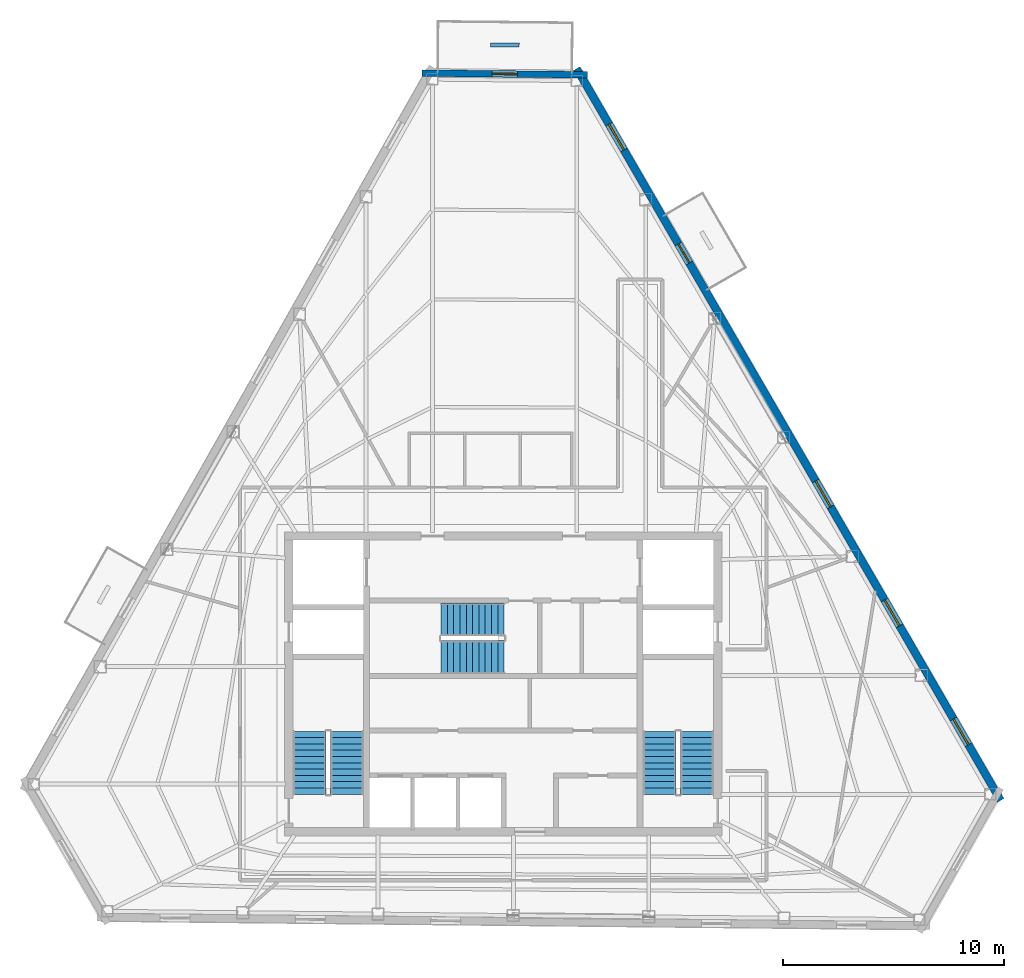
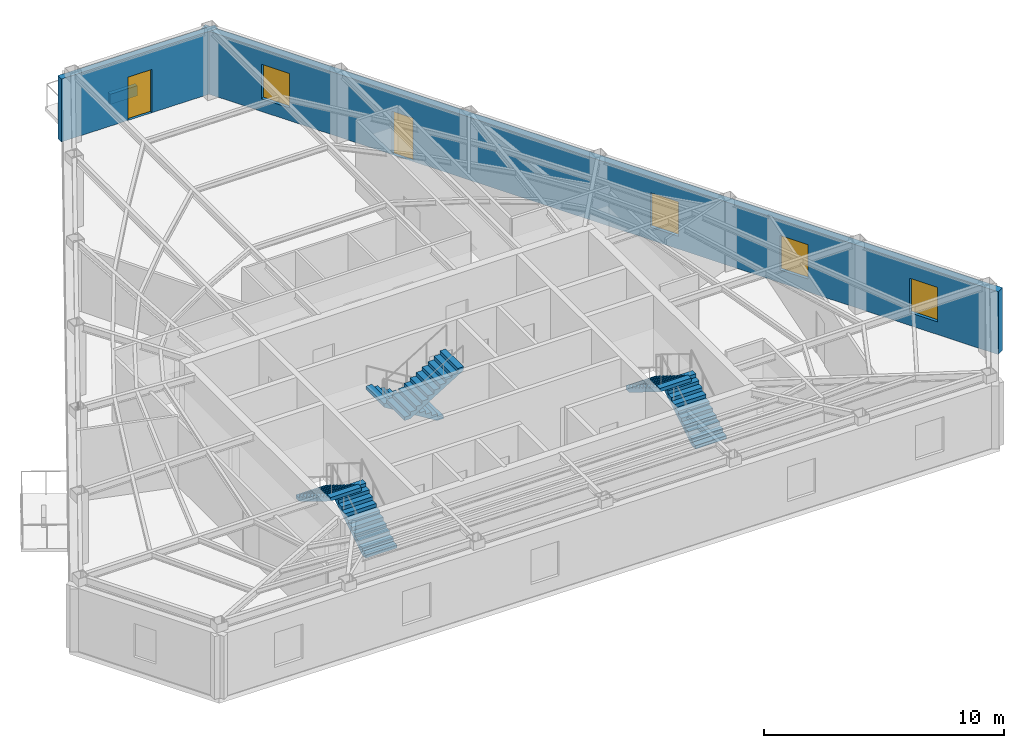
# One storey, part 7 of 10: 6 stair flights, 4 windows, 3 walls, 2 doors, 6 openings, 3 elements without a shape of their own.
"""IFC4 building model written with IfcOpenShell, lengths in metres."""

from ifc_helpers import new_model, si_unit, direction, frame, frame_2d, origin, place, context, subcontext, project, spatial, polyline, rectangle, outline, extrude, material, layer, layer_set, type_object, element, fill, aggregate, save


model = new_model("IFC4")

# Units and contexts
model_context = context("Model", 3, precision=1e-05, world=origin(), true_north=direction((0.0, 1.0)))
body_context = subcontext(model_context, "Body", "Model", "MODEL_VIEW")
ifc_project = project(units=[si_unit("LENGTHUNIT", "METRE"), si_unit("AREAUNIT", "SQUARE_METRE"), si_unit("VOLUMEUNIT", "CUBIC_METRE"), si_unit("PLANEANGLEUNIT", "RADIAN"), si_unit("MASSUNIT", "GRAM", prefix="KILO")], contexts=[model_context])

# Site, building, storey
site_placement = place(None, origin())
site = spatial("IfcSite", under=ifc_project, at=site_placement, CompositionType="ELEMENT")
building_placement = place(site_placement, origin())
building = spatial("IfcBuilding", under=site, at=building_placement, Name="Kavelnor Concourse Tower", CompositionType="ELEMENT")
storey_placement = place(building_placement, frame((0.0, 0.0, 247.199951171875)))
storey = spatial("IfcBuildingStorey", under=building, at=storey_placement, Name="L62", CompositionType="ELEMENT", Elevation=247.199951171875)

# Wall, opening, door
ifc_material_1 = material(Name="Buff ironspot clay face brick masonry", Category="masonry")
ifc_layer_1 = layer(ifc_material_1, 0.300048828125, Name="Buff ironspot clay face brick masonry")
ifc_layer_set_1 = layer_set([ifc_layer_1], Name="Buff ironspot clay face brick masonry")
wall_type_1 = type_object("IfcWallType", Name="WL-EXT-BUFF-BRICK-FOLD-300", PredefinedType="STANDARD", material=ifc_layer_set_1)
wall_1_placement = place(storey_placement, frame((34.315673828125, 43.741943359375, 0.0), z_axis=(0.0, 0.0, 1.0), x_axis=(0.999946967477, -0.010298652035, 0.0)))
wall_1 = element("IfcWall", 1, at=wall_1_placement, inside=storey, type_object=wall_type_1, Name="L62 Exterior Brick Facade Wall E0", PredefinedType="STANDARD", context=body_context, shape_type="SweptSolid", body=[
    extrude(rectangle(XDim=7.4912109375, YDim=0.300048828125, at=frame_2d((3.74560546875, 0.0))), origin(), (0.0, 0.0, 1.0), 3.196044921875),
])
opening_1_placement = place(wall_1_placement, frame((3.170654296875, 0.0, 0.0)))
opening_1 = element("IfcOpeningElement", 2, at=opening_1_placement, cuts=wall_1, Name="Opening TD-115", PredefinedType="OPENING", context=body_context, shape_type="SweptSolid", body=[
    extrude(rectangle(XDim=1.14990234375, YDim=2.199951171875, at=frame_2d((0.574951171875, 1.10009765625))), frame((0.0, 0.16015625, 0.0), z_axis=(0.0, -1.0, 0.0), x_axis=(1.0, 0.0, 0.0)), (0.0, 0.0, 1.0), 0.320068359375),
])
ifc_material_2 = material(Name="Anodised aluminium 6063-T6", Category="aluminium")
door_type_1 = type_object("IfcDoorType", Name="DR-TERRACE-EXT-1150", OperationType="NOTDEFINED", PredefinedType="DOOR", material=ifc_material_2)
door_1_placement = place(opening_1_placement, origin())
door_1 = element("IfcDoor", 3, at=door_1_placement, inside=storey, type_object=door_type_1, Name="L62 Spiral Sky Terrace Access Door", OperationType="SINGLE_SWING_LEFT", OverallHeight=2.199951171875, OverallWidth=1.14990234375, PredefinedType="DOOR", context=body_context, shape_type="SweptSolid", body=[
    extrude(rectangle(XDim=1.14990234375, YDim=2.199951171875, at=frame_2d((0.574951171875, 1.10009765625))), frame((0.0, 0.02490234375, 0.0), z_axis=(0.0, -1.0, 0.0), x_axis=(1.0, 0.0, 0.0)), (0.0, 0.0, 1.0), 0.050048828125),
])
fill(opening_1, door_1)

# Wall, openings, door, windows
ifc_material_3 = material(Name="Red-ochre clay face brick masonry", Category="masonry")
ifc_layer_2 = layer(ifc_material_3, 0.35009765625, Name="Red-ochre clay face brick masonry")
ifc_layer_set_2 = layer_set([ifc_layer_2], Name="Red-ochre clay face brick masonry")
wall_type_2 = type_object("IfcWallType", Name="WL-EXT-RED-BRICK-PIER-350", PredefinedType="STANDARD", material=ifc_layer_set_2)
wall_2_placement = place(storey_placement, frame((41.32666015625, 43.944580078125, 0.0), z_axis=(0.0, 0.0, 1.0), x_axis=(0.501242173683, -0.865307045691, 0.0)))
wall_2 = element("IfcWall", 4, at=wall_2_placement, inside=storey, type_object=wall_type_2, Name="L62 Exterior Brick Facade Wall E5", PredefinedType="STANDARD", context=body_context, shape_type="SweptSolid", body=[
    extrude(rectangle(XDim=38.27685546875, YDim=0.35009765625, at=frame_2d((19.138427734375, 0.0))), origin(), (0.0, 0.0, 1.0), 3.196044921875),
])
opening_2_placement = place(wall_2_placement, frame((9.169189453125, 0.0, 0.0)))
opening_2 = element("IfcOpeningElement", 5, at=opening_2_placement, cuts=wall_2, Name="Opening BD-100", PredefinedType="OPENING", context=body_context, shape_type="SweptSolid", body=[
    extrude(rectangle(XDim=1.0, YDim=2.199951171875, at=frame_2d((0.5, 1.10009765625))), frame((0.0, 0.18505859375, 0.0), z_axis=(0.0, -1.0, 0.0), x_axis=(1.0, 0.0, 0.0)), (0.0, 0.0, 1.0), 0.3701171875),
])
opening_3_placement = place(wall_2_placement, frame((34.016357421875, 0.0, 0.64990234375)))
opening_3 = element("IfcOpeningElement", 6, at=opening_3_placement, cuts=wall_2, Name="Opening W-04", PredefinedType="OPENING", context=body_context, shape_type="SweptSolid", body=[
    extrude(rectangle(XDim=1.35009765625, YDim=1.75, at=frame_2d((0.675048828125, 0.875))), frame((0.0, 0.18505859375, 0.0), z_axis=(0.0, -1.0, 0.0), x_axis=(1.0, 0.0, 0.0)), (0.0, 0.0, 1.0), 0.3701171875),
])
opening_4_placement = place(wall_2_placement, frame((27.794921875, 0.0, 0.64990234375)))
opening_4 = element("IfcOpeningElement", 7, at=opening_4_placement, cuts=wall_2, Name="Opening W-04", PredefinedType="OPENING", context=body_context, shape_type="SweptSolid", body=[
    extrude(rectangle(XDim=1.35009765625, YDim=1.75, at=frame_2d((0.675048828125, 0.875))), frame((0.0, 0.18505859375, 0.0), z_axis=(0.0, -1.0, 0.0), x_axis=(1.0, 0.0, 0.0)), (0.0, 0.0, 1.0), 0.3701171875),
])
opening_5_placement = place(wall_2_placement, frame((21.573486328125, 0.0, 0.64990234375)))
opening_5 = element("IfcOpeningElement", 8, at=opening_5_placement, cuts=wall_2, Name="Opening W-04", PredefinedType="OPENING", context=body_context, shape_type="SweptSolid", body=[
    extrude(rectangle(XDim=1.35009765625, YDim=1.75, at=frame_2d((0.675048828125, 0.875))), frame((0.0, 0.18505859375, 0.0), z_axis=(0.0, -1.0, 0.0), x_axis=(1.0, 0.0, 0.0)), (0.0, 0.0, 1.0), 0.3701171875),
])
opening_6_placement = place(wall_2_placement, frame((2.9091796875, 0.0, 0.64990234375)))
opening_6 = element("IfcOpeningElement", 9, at=opening_6_placement, cuts=wall_2, Name="Opening W-04", PredefinedType="OPENING", context=body_context, shape_type="SweptSolid", body=[
    extrude(rectangle(XDim=1.35009765625, YDim=1.75, at=frame_2d((0.675048828125, 0.875))), frame((0.0, 0.18505859375, 0.0), z_axis=(0.0, -1.0, 0.0), x_axis=(1.0, 0.0, 0.0)), (0.0, 0.0, 1.0), 0.3701171875),
])
door_type_2 = type_object("IfcDoorType", Name="DR-BALCONY-EXT-1000", OperationType="NOTDEFINED", PredefinedType="DOOR", material=ifc_material_2)
door_2_placement = place(opening_2_placement, origin())
door_2 = element("IfcDoor", 10, at=door_2_placement, inside=storey, type_object=door_type_2, Name="L62 Tree Balcony 1 Glazed Door", OperationType="SINGLE_SWING_LEFT", OverallHeight=2.199951171875, OverallWidth=1.0, PredefinedType="DOOR", context=body_context, shape_type="SweptSolid", body=[
    extrude(rectangle(XDim=1.0, YDim=2.199951171875, at=frame_2d((0.5, 1.10009765625))), frame((0.0, 0.02490234375, 0.0), z_axis=(0.0, -1.0, 0.0), x_axis=(1.0, 0.0, 0.0)), (0.0, 0.0, 1.0), 0.050048828125),
])
fill(opening_2, door_2)
ifc_material_4 = material(Name="Double low-E argon insulated glazing", Category="glass")
window_type = type_object("IfcWindowType", Name="WIN-PIER-Z4-1350", PartitioningType="SINGLE_PANEL", PredefinedType="WINDOW", material=ifc_material_4)
window_1_placement = place(opening_3_placement, origin())
window_1 = element("IfcWindow", 11, at=window_1_placement, inside=storey, type_object=window_type, Name="L62 Deep-Set Brick Pier Window F2-B0", OverallHeight=1.75, OverallWidth=1.35009765625, PartitioningType="SINGLE_PANEL", PredefinedType="WINDOW", context=body_context, shape_type="SweptSolid", body=[
    extrude(rectangle(XDim=1.35009765625, YDim=1.75, at=frame_2d((0.675048828125, 0.875))), frame((0.0, 0.030029296875, 0.0), z_axis=(0.0, -1.0, 0.0), x_axis=(1.0, 0.0, 0.0)), (0.0, 0.0, 1.0), 0.06005859375),
])
fill(opening_3, window_1)
window_2_placement = place(opening_4_placement, origin())
window_2 = element("IfcWindow", 12, at=window_2_placement, inside=storey, type_object=window_type, Name="L62 Deep-Set Brick Pier Window F2-B1", OverallHeight=1.75, OverallWidth=1.35009765625, PartitioningType="SINGLE_PANEL", PredefinedType="WINDOW", context=body_context, shape_type="SweptSolid", body=[
    extrude(rectangle(XDim=1.35009765625, YDim=1.75, at=frame_2d((0.675048828125, 0.875))), frame((0.0, 0.030029296875, 0.0), z_axis=(0.0, -1.0, 0.0), x_axis=(1.0, 0.0, 0.0)), (0.0, 0.0, 1.0), 0.06005859375),
])
fill(opening_4, window_2)
window_3_placement = place(opening_5_placement, origin())
window_3 = element("IfcWindow", 13, at=window_3_placement, inside=storey, type_object=window_type, Name="L62 Deep-Set Brick Pier Window F2-B2", OverallHeight=1.75, OverallWidth=1.35009765625, PartitioningType="SINGLE_PANEL", PredefinedType="WINDOW", context=body_context, shape_type="SweptSolid", body=[
    extrude(rectangle(XDim=1.35009765625, YDim=1.75, at=frame_2d((0.675048828125, 0.875))), frame((0.0, 0.030029296875, 0.0), z_axis=(0.0, -1.0, 0.0), x_axis=(1.0, 0.0, 0.0)), (0.0, 0.0, 1.0), 0.06005859375),
])
fill(opening_5, window_3)
window_4_placement = place(opening_6_placement, origin())
window_4 = element("IfcWindow", 14, at=window_4_placement, inside=storey, type_object=window_type, Name="L62 Deep-Set Brick Pier Window F2-B5", OverallHeight=1.75, OverallWidth=1.35009765625, PartitioningType="SINGLE_PANEL", PredefinedType="WINDOW", context=body_context, shape_type="SweptSolid", body=[
    extrude(rectangle(XDim=1.35009765625, YDim=1.75, at=frame_2d((0.675048828125, 0.875))), frame((0.0, 0.030029296875, 0.0), z_axis=(0.0, -1.0, 0.0), x_axis=(1.0, 0.0, 0.0)), (0.0, 0.0, 1.0), 0.06005859375),
])
fill(opening_6, window_4)

# Wall
ifc_material_5 = material(Name="Architectural precast planter concrete C40/50", Category="concrete")
ifc_layer_3 = layer(ifc_material_5, 0.18994140625, Name="Architectural precast planter concrete C40/50")
ifc_layer_set_3 = layer_set([ifc_layer_3], Name="Architectural precast planter concrete C40/50")
wall_type_3 = type_object("IfcWallType", Name="WL-PLANTER-KERB-190", PredefinedType="USERDEFINED", material=ifc_layer_set_3)
wall_3_placement = place(storey_placement, frame((38.724609375, 45.006591796875, 0.0), z_axis=(0.0, 0.0, 1.0), x_axis=(-0.999946663881, 0.010328087608, 0.0)))
element("IfcWall", 15, at=wall_3_placement, inside=storey, type_object=wall_type_3, Name="L62 Spiral Terrace Landscaped Planter Kerb", ObjectType="PLANTER", PredefinedType="USERDEFINED", context=body_context, shape_type="SweptSolid", body=[
    extrude(rectangle(XDim=1.300048828125, YDim=0.18994140625, at=frame_2d((0.64990234375, 0.0))), origin(), (0.0, 0.0, 1.0), 0.52001953125),
])

# Stair, stair flights
ifc_material_6 = material(Name="Concrete C40/50", Category="concrete")
stair_type = type_object("IfcStairType", Name="STR-CORE-1500", PredefinedType="HALF_TURN_STAIR", material=ifc_material_6)
stair_1_placement = place(storey_placement, origin())
stair_1 = element("IfcStair", 16, at=stair_1_placement, inside=storey, type_object=stair_type, Name="L62 ST1", PredefinedType="HALF_TURN_STAIR")
stair_flight_type = type_object("IfcStairFlightType", Name="STR-FLIGHT-1500", PredefinedType="STRAIGHT", material=ifc_material_6)
stair_flight_1_placement = place(storey_placement, frame((30.929931640625, 11.10009765625, 0.0), z_axis=(0.0, 0.0, 1.0), x_axis=(0.0, 1.0, 0.0)))
stair_flight_1 = element("IfcStairFlight", 17, at=stair_flight_1_placement, type_object=stair_flight_type, Name="ST1 flight 1", NumberOfRisers=11, NumberOfTreads=10, PredefinedType="STRAIGHT", RiserHeight=0.175, TreadLength=0.285, context=body_context, shape_type="SweptSolid", body=[
    extrude(outline(polyline([(0.0, 0.0), (0.0, 0.175048828125), (0.284912109375, 0.175048828125), (0.284912109375, 0.35009765625), (0.570068359375, 0.35009765625), (0.570068359375, 0.52490234375), (0.85498046875, 0.52490234375), (0.85498046875, 0.699951171875), (1.139892578125, 0.699951171875), (1.139892578125, 0.875), (1.425048828125, 0.875), (1.425048828125, 1.050048828125), (1.7099609375, 1.050048828125), (1.7099609375, 1.22509765625), (1.9951171875, 1.22509765625), (1.9951171875, 1.39990234375), (2.280029296875, 1.39990234375), (2.280029296875, 1.574951171875), (2.56494140625, 1.574951171875), (2.56494140625, 1.75), (2.85009765625, 1.75), (2.85009765625, 1.925048828125), (2.85009765625, 1.573974609375), (0.286376953125, 0.0), (0.0, 0.0)])), frame((0.0, 0.75, 0.0), z_axis=(0.0, -1.0, 0.0), x_axis=(1.0, 0.0, 0.0)), (0.0, 0.0, 1.0), 1.5),
])
stair_flight_2_placement = place(storey_placement, frame((29.22998046875, 13.949951171875, 1.925048828125), z_axis=(0.0, 0.0, 1.0), x_axis=(0.0, -1.0, 0.0)))
stair_flight_2 = element("IfcStairFlight", 18, at=stair_flight_2_placement, type_object=stair_flight_type, Name="ST1 flight 2", NumberOfRisers=11, NumberOfTreads=10, PredefinedType="STRAIGHT", RiserHeight=0.175, TreadLength=0.285, context=body_context, shape_type="SweptSolid", body=[
    extrude(outline(polyline([(0.0, 0.0), (0.0, 0.175048828125), (0.284912109375, 0.175048828125), (0.284912109375, 0.35009765625), (0.570068359375, 0.35009765625), (0.570068359375, 0.52490234375), (0.85498046875, 0.52490234375), (0.85498046875, 0.699951171875), (1.139892578125, 0.699951171875), (1.139892578125, 0.875), (1.425048828125, 0.875), (1.425048828125, 1.050048828125), (1.7099609375, 1.050048828125), (1.7099609375, 1.22509765625), (1.9951171875, 1.22509765625), (1.9951171875, 1.39990234375), (2.280029296875, 1.39990234375), (2.280029296875, 1.574951171875), (2.56494140625, 1.574951171875), (2.56494140625, 1.75), (2.85009765625, 1.75), (2.85009765625, 1.925048828125), (2.85009765625, 1.573974609375), (0.286376953125, 0.0), (0.0, 0.0)])), frame((0.0, 0.75, 0.0), z_axis=(0.0, -1.0, 0.0), x_axis=(1.0, 0.0, 0.0)), (0.0, 0.0, 1.0), 1.5),
])
aggregate(stair_1, [stair_flight_1, stair_flight_2])

stair_2_placement = place(storey_placement, origin())
stair_2 = element("IfcStair", 19, at=stair_2_placement, inside=storey, type_object=stair_type, Name="L62 ST2", PredefinedType="HALF_TURN_STAIR")
stair_flight_3_placement = place(storey_placement, frame((46.77001953125, 11.10009765625, 0.0), z_axis=(0.0, 0.0, 1.0), x_axis=(0.0, 1.0, 0.0)))
stair_flight_3 = element("IfcStairFlight", 20, at=stair_flight_3_placement, type_object=stair_flight_type, Name="ST2 flight 1", NumberOfRisers=11, NumberOfTreads=10, PredefinedType="STRAIGHT", RiserHeight=0.175, TreadLength=0.285, context=body_context, shape_type="SweptSolid", body=[
    extrude(outline(polyline([(0.0, 0.0), (0.0, 0.175048828125), (0.284912109375, 0.175048828125), (0.284912109375, 0.35009765625), (0.570068359375, 0.35009765625), (0.570068359375, 0.52490234375), (0.85498046875, 0.52490234375), (0.85498046875, 0.699951171875), (1.139892578125, 0.699951171875), (1.139892578125, 0.875), (1.425048828125, 0.875), (1.425048828125, 1.050048828125), (1.7099609375, 1.050048828125), (1.7099609375, 1.22509765625), (1.9951171875, 1.22509765625), (1.9951171875, 1.39990234375), (2.280029296875, 1.39990234375), (2.280029296875, 1.574951171875), (2.56494140625, 1.574951171875), (2.56494140625, 1.75), (2.85009765625, 1.75), (2.85009765625, 1.925048828125), (2.85009765625, 1.573974609375), (0.286376953125, 0.0), (0.0, 0.0)])), frame((0.0, 0.75, 0.0), z_axis=(0.0, -1.0, 0.0), x_axis=(1.0, 0.0, 0.0)), (0.0, 0.0, 1.0), 1.5),
])
stair_flight_4_placement = place(storey_placement, frame((45.070068359375, 13.949951171875, 1.925048828125), z_axis=(0.0, 0.0, 1.0), x_axis=(0.0, -1.0, 0.0)))
stair_flight_4 = element("IfcStairFlight", 21, at=stair_flight_4_placement, type_object=stair_flight_type, Name="ST2 flight 2", NumberOfRisers=11, NumberOfTreads=10, PredefinedType="STRAIGHT", RiserHeight=0.175, TreadLength=0.285, context=body_context, shape_type="SweptSolid", body=[
    extrude(outline(polyline([(0.0, 0.0), (0.0, 0.175048828125), (0.284912109375, 0.175048828125), (0.284912109375, 0.35009765625), (0.570068359375, 0.35009765625), (0.570068359375, 0.52490234375), (0.85498046875, 0.52490234375), (0.85498046875, 0.699951171875), (1.139892578125, 0.699951171875), (1.139892578125, 0.875), (1.425048828125, 0.875), (1.425048828125, 1.050048828125), (1.7099609375, 1.050048828125), (1.7099609375, 1.22509765625), (1.9951171875, 1.22509765625), (1.9951171875, 1.39990234375), (2.280029296875, 1.39990234375), (2.280029296875, 1.574951171875), (2.56494140625, 1.574951171875), (2.56494140625, 1.75), (2.85009765625, 1.75), (2.85009765625, 1.925048828125), (2.85009765625, 1.573974609375), (0.286376953125, 0.0), (0.0, 0.0)])), frame((0.0, 0.75, 0.0), z_axis=(0.0, -1.0, 0.0), x_axis=(1.0, 0.0, 0.0)), (0.0, 0.0, 1.0), 1.5),
])
aggregate(stair_2, [stair_flight_3, stair_flight_4])

stair_3_placement = place(storey_placement, origin())
stair_3 = element("IfcStair", 22, at=stair_3_placement, inside=storey, type_object=stair_type, Name="L62 ST3", PredefinedType="HALF_TURN_STAIR")
stair_flight_5_placement = place(storey_placement, frame((38.0400390625, 19.010009765625, 0.0), z_axis=(0.0, 0.0, 1.0), x_axis=(-1.0, 0.0, 0.0)))
stair_flight_5 = element("IfcStairFlight", 23, at=stair_flight_5_placement, type_object=stair_flight_type, Name="ST3 flight 1", NumberOfRisers=11, NumberOfTreads=10, PredefinedType="STRAIGHT", RiserHeight=0.175, TreadLength=0.285, context=body_context, shape_type="SweptSolid", body=[
    extrude(outline(polyline([(0.0, 0.0), (0.0, 0.175048828125), (0.284912109375, 0.175048828125), (0.284912109375, 0.35009765625), (0.570068359375, 0.35009765625), (0.570068359375, 0.52490234375), (0.85498046875, 0.52490234375), (0.85498046875, 0.699951171875), (1.139892578125, 0.699951171875), (1.139892578125, 0.875), (1.425048828125, 0.875), (1.425048828125, 1.050048828125), (1.7099609375, 1.050048828125), (1.7099609375, 1.22509765625), (1.9951171875, 1.22509765625), (1.9951171875, 1.39990234375), (2.280029296875, 1.39990234375), (2.280029296875, 1.574951171875), (2.56494140625, 1.574951171875), (2.56494140625, 1.75), (2.85009765625, 1.75), (2.85009765625, 1.925048828125), (2.85009765625, 1.573974609375), (0.286376953125, 0.0), (0.0, 0.0)])), frame((0.0, 0.75, 0.0), z_axis=(0.0, -1.0, 0.0), x_axis=(1.0, 0.0, 0.0)), (0.0, 0.0, 1.0), 1.5),
])
stair_flight_6_placement = place(storey_placement, frame((35.18994140625, 17.31005859375, 1.925048828125), z_axis=(0.0, 0.0, 1.0), x_axis=(1.0, 0.0, 0.0)))
stair_flight_6 = element("IfcStairFlight", 24, at=stair_flight_6_placement, type_object=stair_flight_type, Name="ST3 flight 2", NumberOfRisers=11, NumberOfTreads=10, PredefinedType="STRAIGHT", RiserHeight=0.175, TreadLength=0.285, context=body_context, shape_type="SweptSolid", body=[
    extrude(outline(polyline([(0.0, 0.0), (0.0, 0.175048828125), (0.284912109375, 0.175048828125), (0.284912109375, 0.35009765625), (0.570068359375, 0.35009765625), (0.570068359375, 0.52490234375), (0.85498046875, 0.52490234375), (0.85498046875, 0.699951171875), (1.139892578125, 0.699951171875), (1.139892578125, 0.875), (1.425048828125, 0.875), (1.425048828125, 1.050048828125), (1.7099609375, 1.050048828125), (1.7099609375, 1.22509765625), (1.9951171875, 1.22509765625), (1.9951171875, 1.39990234375), (2.280029296875, 1.39990234375), (2.280029296875, 1.574951171875), (2.56494140625, 1.574951171875), (2.56494140625, 1.75), (2.85009765625, 1.75), (2.85009765625, 1.925048828125), (2.85009765625, 1.573974609375), (0.286376953125, 0.0), (0.0, 0.0)])), frame((0.0, 0.75, 0.0), z_axis=(0.0, -1.0, 0.0), x_axis=(1.0, 0.0, 0.0)), (0.0, 0.0, 1.0), 1.5),
])
aggregate(stair_3, [stair_flight_5, stair_flight_6])

save(model, "model.ifc")
